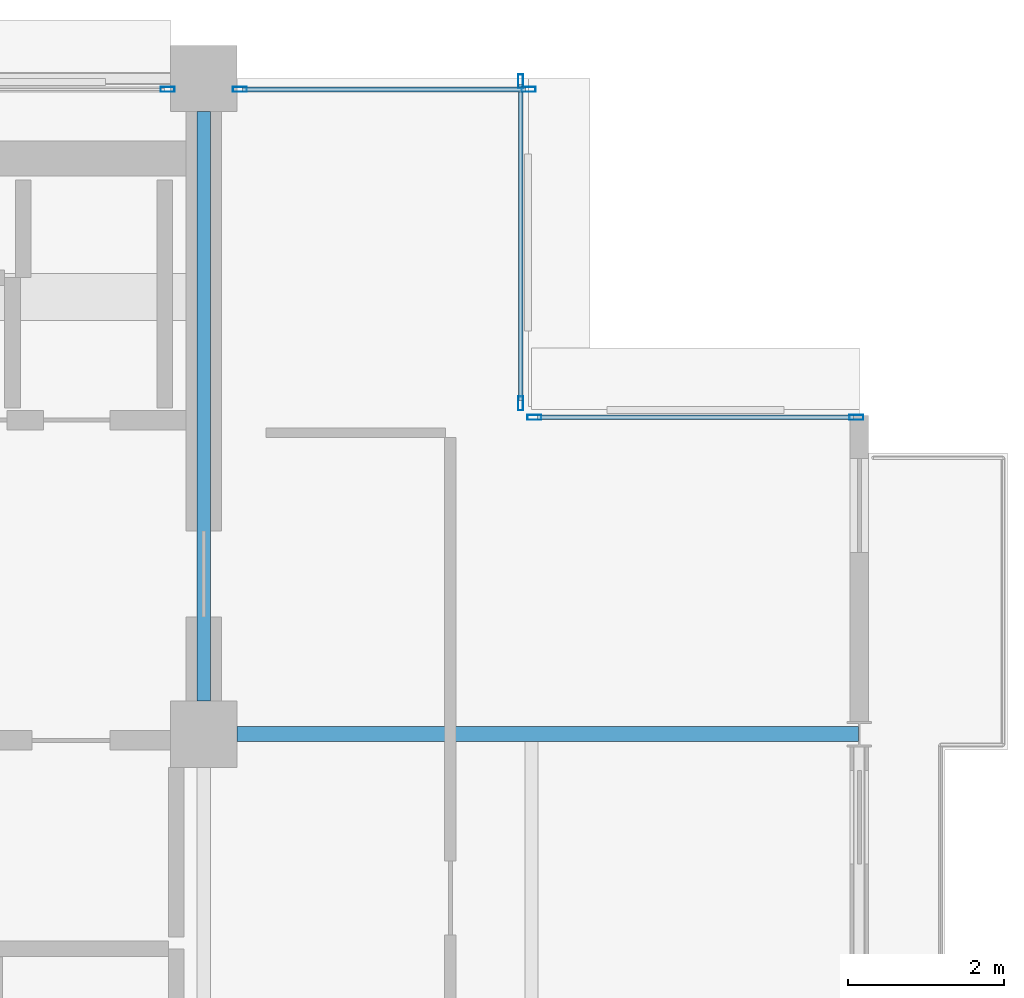
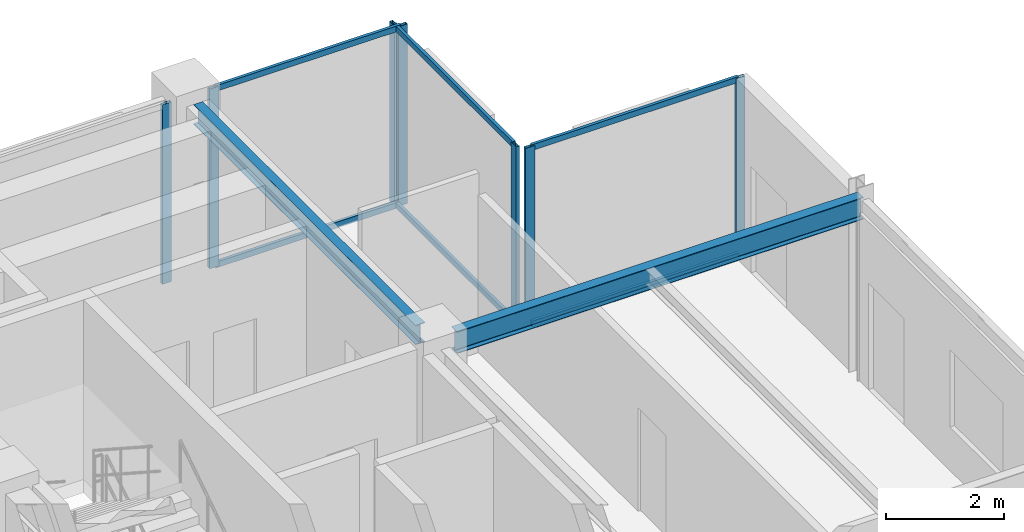
# One storey, part 19 of 27: 13 members, 2 beams, 4 elements without a shape of their own.
"""IFC4 building model written with IfcOpenShell, lengths in metres."""

import ifcopenshell
import ifcopenshell.guid

model = None  # the IFC model being written
_history = None  # IfcOwnerHistory: only IFC2X3 demands one
_inside = {}  # id of a spatial element -> (the spatial element, [elements in it])
_under = {}  # id of a project, library or spatial element -> (it, [spatial elements below it])
_declared = {}  # id of a project -> (the project, [libraries it declares])
_typed = {}  # id of a type object -> (the type object, [elements of that type])
_made_of = {}  # id of a material, layer set ... -> (it, [elements and type objects made of it])


def new_model(schema):
    """Start an empty IFC model of exactly this schema.

    Asked for "IFC4X3", IfcOpenShell would pick the latest addendum, in which some entities
    have other attributes; the version numbers below select the first issue.
    IFC2X3 requires an IfcOwnerHistory on every rooted entity: one is made here for all.
    """
    global model, _history
    if schema == "IFC4X3":
        model = ifcopenshell.file(schema_version=(4, 3, 0, 0))
    else:
        model = ifcopenshell.file(schema=schema)
    _inside.clear()
    _under.clear()
    _declared.clear()
    _typed.clear()
    _made_of.clear()
    _history = None
    if model.schema == "IFC2X3":
        org = make("IfcOrganization", Name="unknown")
        user = make(
            "IfcPersonAndOrganization",
            ThePerson=make("IfcPerson", FamilyName="unknown"),
            TheOrganization=org,
        )
        app = make(
            "IfcApplication",
            ApplicationDeveloper=org,
            Version="unknown",
            ApplicationFullName="unknown",
            ApplicationIdentifier="unknown",
        )
        _history = make(
            "IfcOwnerHistory",
            OwningUser=user,
            OwningApplication=app,
            ChangeAction="ADDED",
            CreationDate=0,
        )
    return model


def make(cls, **values):
    """One entity of the class cls with the attributes given. An attribute that is None is left unset."""
    return model.create_entity(
        cls, **{name: value for name, value in values.items() if value is not None}
    )


def rooted(cls, **values):
    """An entity with a GlobalId (a new one), such as an element, a storey or a relation."""
    return make(cls, GlobalId=ifcopenshell.guid.new(), OwnerHistory=_history, **values)


def si_unit(unit_type, name, prefix=None):
    """IfcSIUnit, for example si_unit("LENGTHUNIT", "METRE", prefix="MILLI")."""
    return make("IfcSIUnit", UnitType=unit_type, Prefix=prefix, Name=name)


def assignment(units):
    """IfcUnitAssignment: the units of a project."""
    return None if units is None else make("IfcUnitAssignment", Units=units)


def point(xyz):
    """IfcCartesianPoint."""
    return None if xyz is None else make("IfcCartesianPoint", Coordinates=xyz)


def direction(xyz):
    """IfcDirection."""
    return None if xyz is None else make("IfcDirection", DirectionRatios=xyz)


def frame(location, z_axis=None, x_axis=None):
    """IfcAxis2Placement3D, a coordinate frame: its origin and axes. An axis left out is left unset."""
    return make(
        "IfcAxis2Placement3D",
        Location=point(location),
        Axis=direction(z_axis),
        RefDirection=direction(x_axis),
    )


def frame_2d(location, x_axis=None):
    """IfcAxis2Placement2D, a coordinate frame in the plane: its origin and x axis."""
    return make(
        "IfcAxis2Placement2D", Location=point(location), RefDirection=direction(x_axis)
    )


def origin():
    """The frame at (0, 0, 0) with its axes left unset."""
    return frame((0.0, 0.0, 0.0))


def origin_2d():
    """The frame at (0, 0) in the plane with its x axis left unset."""
    return frame_2d((0.0, 0.0))


def place(relative_to, where):
    """IfcLocalPlacement: puts the frame where relative to a parent placement (None: the world)."""
    return make(
        "IfcLocalPlacement", PlacementRelTo=relative_to, RelativePlacement=where
    )


def context(
    kind, dimensions, precision=None, world=None, true_north=None, identifier=None
):
    """IfcGeometricRepresentationContext, for example the 3D "Model" context."""
    return make(
        "IfcGeometricRepresentationContext",
        ContextIdentifier=identifier,
        ContextType=kind,
        CoordinateSpaceDimension=dimensions,
        Precision=precision,
        WorldCoordinateSystem=world,
        TrueNorth=true_north,
    )


def subcontext(parent, identifier, kind, view, scale=None):
    """IfcGeometricRepresentationSubContext, for example "Body" below "Model"."""
    return make(
        "IfcGeometricRepresentationSubContext",
        ContextIdentifier=identifier,
        ContextType=kind,
        ParentContext=parent,
        TargetScale=scale,
        TargetView=view,
    )


def project(units=None, contexts=None):
    """IfcProject with its units and contexts."""
    return rooted(
        "IfcProject",
        Name="project",
        RepresentationContexts=contexts,
        UnitsInContext=assignment(units),
    )


def spatial(cls, under=None, at=None, **own):
    """A site, building, storey or space (cls), placed at a placement, below another one or the project."""
    s = rooted(cls, ObjectPlacement=at, **own)
    if under is not None:
        _under.setdefault(under.id(), (under, []))[1].append(s)
    return s


def profile(cls, at=None, kind="AREA", **sizes):
    """A parametric profile (cls). Its sizes go by their IFC names, for example OverallWidth=200.0."""
    return make(cls, ProfileType=kind, Position=at, **sizes)


def hollow_rectangle(**sizes):
    """IfcRectangleHollowProfileDef."""
    return profile("IfcRectangleHollowProfileDef", **sizes)


def i_section(**sizes):
    """IfcIShapeProfileDef."""
    return profile("IfcIShapeProfileDef", **sizes)


def extrude(swept, where, along, depth):
    """IfcExtrudedAreaSolid: the profile swept, set in the frame where, extruded along a direction by depth."""
    return make(
        "IfcExtrudedAreaSolid",
        SweptArea=swept,
        Position=where,
        ExtrudedDirection=direction(along),
        Depth=depth,
    )


def shape(context_of_items, identifier, shape_type, items):
    """IfcShapeRepresentation: the items that make up one representation, for example the "Body"."""
    return make(
        "IfcShapeRepresentation",
        ContextOfItems=context_of_items,
        RepresentationIdentifier=identifier,
        RepresentationType=shape_type,
        Items=items,
    )


def material(Name=None, Category=None):
    """IfcMaterial."""
    return make("IfcMaterial", Name=Name, Category=Category)


def layer(
    of_material, thickness, ventilated=None, Name=None, Category=None, Priority=None
):
    """IfcMaterialLayer: one layer of a wall or slab, of a material (None: an air gap)."""
    return make(
        "IfcMaterialLayer",
        Material=of_material,
        LayerThickness=thickness,
        IsVentilated=ventilated,
        Name=Name,
        Category=Category,
        Priority=Priority,
    )


def layer_set(layers, Name=None):
    """IfcMaterialLayerSet."""
    return make("IfcMaterialLayerSet", MaterialLayers=layers, LayerSetName=Name)


def material_profile(
    of_material, cross_section, Name=None, Category=None, Priority=None
):
    """IfcMaterialProfile: a cross section and its material."""
    return make(
        "IfcMaterialProfile",
        Name=Name,
        Material=of_material,
        Profile=cross_section,
        Priority=Priority,
        Category=Category,
    )


def profile_set(profiles, Name=None, composite=None):
    """IfcMaterialProfileSet."""
    return make(
        "IfcMaterialProfileSet",
        Name=Name,
        MaterialProfiles=profiles,
        CompositeProfile=composite,
    )


def made_of(thing, what):
    """Note that an element or type object is made of a material, layer set ...; save() writes the relation."""
    if what is not None:
        _made_of.setdefault(what.id(), (what, []))[1].append(thing)
    return thing


def type_object(cls, material=None, **own):
    """A type object (cls), such as IfcWallType, which elements share."""
    return made_of(rooted(cls, **own), material)


def element(
    cls,
    number,
    at=None,
    inside=None,
    cuts=None,
    type_object=None,
    material=None,
    context=None,
    identifier="Body",
    shape_type=None,
    held_by="IfcProductDefinitionShape",
    body=None,
    shapes=None,
    **own,
):
    """One element of the class cls, such as IfcWall. Its Tag is "e" and its number.

    at: its placement. inside: the storey or other place that contains it. cuts: it is an
    opening in that element (IfcRelVoidsElement). A single representation is given by context,
    identifier, shape_type and body (its items); several are given by shapes. held_by: the class
    of the entity that holds the representations. save() writes the other relations.
    """
    e = rooted(cls, Tag="e%d" % number, ObjectPlacement=at, **own)
    if body is not None:
        shapes = [shape(context, identifier, shape_type, body)]
    if shapes is not None:
        e.Representation = make(held_by, Representations=shapes)
    if inside is not None:
        _inside.setdefault(inside.id(), (inside, []))[1].append(e)
    if cuts is not None:
        rooted(
            "IfcRelVoidsElement", RelatingBuildingElement=cuts, RelatedOpeningElement=e
        )
    if type_object is not None:
        _typed.setdefault(type_object.id(), (type_object, []))[1].append(e)
    return made_of(e, material)


def aggregate(whole, parts):
    """IfcRelAggregates: a whole, such as a stair, and the parts it consists of."""
    return rooted("IfcRelAggregates", RelatingObject=whole, RelatedObjects=parts)


def save(model, path):
    """Write the relations noted so far, then the file.

    IfcRelAggregates (storeys below a building ...), IfcRelContainedInSpatialStructure (elements
    in a storey), IfcRelDefinesByType, IfcRelAssociatesMaterial and IfcRelDeclares: one each for
    every whole, place, type object, material and project.
    """
    for whole, parts in _under.values():
        aggregate(whole, parts)
    for where, things in _inside.values():
        rooted(
            "IfcRelContainedInSpatialStructure",
            RelatedElements=things,
            RelatingStructure=where,
        )
    for kind, things in _typed.values():
        rooted("IfcRelDefinesByType", RelatedObjects=things, RelatingType=kind)
    for what, things in _made_of.values():
        rooted("IfcRelAssociatesMaterial", RelatedObjects=things, RelatingMaterial=what)
    for by, libraries in _declared.values():
        rooted("IfcRelDeclares", RelatingContext=by, RelatedDefinitions=libraries)
    model.write(path)


model = new_model("IFC4")

# Units and contexts
model_context = context("Model", 3, precision=1e-05, world=origin(), true_north=direction((0.0, 1.0)))
body_context = subcontext(model_context, "Body", "Model", "MODEL_VIEW")
ifc_project = project(units=[si_unit("LENGTHUNIT", "METRE"), si_unit("AREAUNIT", "SQUARE_METRE"), si_unit("VOLUMEUNIT", "CUBIC_METRE"), si_unit("PLANEANGLEUNIT", "RADIAN"), si_unit("MASSUNIT", "GRAM", prefix="KILO")], contexts=[model_context])

# Site, building, storey
site_placement = place(None, origin())
site = spatial("IfcSite", under=ifc_project, at=site_placement, CompositionType="ELEMENT")
building_placement = place(site_placement, origin())
building = spatial("IfcBuilding", under=site, at=building_placement, Name="Nerrivon Quay Data Exchange", CompositionType="ELEMENT")
storey_placement = place(building_placement, frame((0.0, 0.0, 266.199951171875)))
storey = spatial("IfcBuildingStorey", under=building, at=storey_placement, Name="L63", CompositionType="ELEMENT", Elevation=266.199951171875)

# Beams
ifc_material_1 = material(Name="Steel Grade 350", Category="steel")
ifc_material_profile_1 = material_profile(ifc_material_1, i_section(OverallWidth=0.18994140625, OverallDepth=0.4541015625, WebThickness=0.008544921875, FlangeThickness=0.0126953125, FilletRadius=0.011474609375, at=origin_2d()), Name="460UB67.1")
ifc_profile_set_1 = profile_set([ifc_material_profile_1], Name="Steel Grade 350")
beam_type_1 = type_object("IfcBeamType", Name="BM-G6-460UB67", PredefinedType="BEAM", material=ifc_profile_set_1)
beam_1_placement = place(storey_placement, frame((17.22509765625, 33.60009765625, 3.498046875), z_axis=(1.0, 0.0, 0.0), x_axis=(0.0, 1.0, 0.0)))
element("IfcBeam", 1, at=beam_1_placement, inside=storey, type_object=beam_type_1, Name="L63 EW Girder Y=33.6 (16.8..25.2)", PredefinedType="BEAM", context=body_context, shape_type="SweptSolid", body=[
    extrude(i_section(OverallWidth=0.18994140625, OverallDepth=0.4541015625, WebThickness=0.008544921875, FlangeThickness=0.0126953125, FilletRadius=0.011474609375, at=origin_2d()), origin(), (0.0, 0.0, 1.0), 7.967041015625),
])
ifc_material_profile_2 = material_profile(ifc_material_1, i_section(OverallWidth=0.177978515625, OverallDepth=0.406005859375, WebThickness=0.0078125, FlangeThickness=0.0126953125, FilletRadius=0.011474609375, at=origin_2d()), Name="410UB59.7")
ifc_profile_set_2 = profile_set([ifc_material_profile_2], Name="Steel Grade 350")
beam_type_2 = type_object("IfcBeamType", Name="BM-J1-410UB60", PredefinedType="JOIST", material=ifc_profile_set_2)
beam_2_placement = place(storey_placement, frame((16.800048828125, 34.02490234375, 3.52197265625), z_axis=(0.0, 1.0, 0.0), x_axis=(-1.0, 0.0, 0.0)))
element("IfcBeam", 2, at=beam_2_placement, inside=storey, type_object=beam_type_2, Name="L63 NS Girder X=16.8 (33.6..42.0)", PredefinedType="JOIST", context=body_context, shape_type="SweptSolid", body=[
    extrude(i_section(OverallWidth=0.177978515625, OverallDepth=0.406005859375, WebThickness=0.0078125, FlangeThickness=0.0126953125, FilletRadius=0.011474609375, at=origin_2d()), origin(), (0.0, 0.0, 1.0), 7.550048828125),
])

# Curtain wall, member
ifc_material_2 = material(Name="Anodised aluminium 6063-T6", Category="aluminium")
ifc_layer = layer(ifc_material_2, 0.195068359375)
ifc_layer_set = layer_set([ifc_layer], Name="Anodised aluminium 6063-T6")
curtain_wall_type = type_object("IfcCurtainWallType", Name="CW-SYS-06", PredefinedType="NOTDEFINED", material=ifc_layer_set)
curtain_wall_1_placement = place(storey_placement, origin())
curtain_wall_1 = element("IfcCurtainWall", 3, at=curtain_wall_1_placement, inside=storey, type_object=curtain_wall_type, Name="L63 Unitised Curtain Wall 18", PredefinedType="NOTDEFINED")
ifc_material_profile_3 = material_profile(ifc_material_2, hollow_rectangle(XDim=0.06494140625, YDim=0.179931640625, WallThickness=0.00341796875, at=origin_2d()), Name="ALU-MULL-180x65")
ifc_profile_set_3 = profile_set([ifc_material_profile_3], Name="Anodised aluminium 6063-T6")
member_type_1 = type_object("IfcMemberType", Name="CWM-180x65", PredefinedType="MULLION", material=ifc_profile_set_3)
member_1_placement = place(storey_placement, frame((16.33740234375, 41.860107421875, 0.0), z_axis=(0.0, 0.0, 1.0), x_axis=(0.0, 1.0, 0.0)))
member_1 = element("IfcMember", 4, at=member_1_placement, type_object=member_type_1, Name="CW06 mullion 2", PredefinedType="MULLION", context=body_context, shape_type="SweptSolid", body=[
    extrude(hollow_rectangle(XDim=0.06494140625, YDim=0.179931640625, WallThickness=0.00341796875, at=origin_2d()), origin(), (0.0, 0.0, 1.0), 3.72509765625),
])
aggregate(curtain_wall_1, [member_1])

# Curtain wall, members
curtain_wall_2_placement = place(storey_placement, origin())
curtain_wall_2 = element("IfcCurtainWall", 5, at=curtain_wall_2_placement, inside=storey, type_object=curtain_wall_type, Name="L63 Unitised Curtain Wall 19", PredefinedType="NOTDEFINED")
member_2_placement = place(storey_placement, frame((17.262451171875, 41.860107421875, 0.0), z_axis=(0.0, 0.0, 1.0), x_axis=(0.0, 1.0, 0.0)))
member_2 = element("IfcMember", 6, at=member_2_placement, type_object=member_type_1, Name="CW06 mullion 1", PredefinedType="MULLION", context=body_context, shape_type="SweptSolid", body=[
    extrude(hollow_rectangle(XDim=0.06494140625, YDim=0.179931640625, WallThickness=0.00341796875, at=origin_2d()), origin(), (0.0, 0.0, 1.0), 3.72509765625),
])
member_3_placement = place(storey_placement, frame((20.96240234375, 41.860107421875, 0.0), z_axis=(0.0, 0.0, 1.0), x_axis=(0.0, 1.0, 0.0)))
member_3 = element("IfcMember", 7, at=member_3_placement, type_object=member_type_1, Name="CW06 mullion 2", PredefinedType="MULLION", context=body_context, shape_type="SweptSolid", body=[
    extrude(hollow_rectangle(XDim=0.06494140625, YDim=0.179931640625, WallThickness=0.00341796875, at=origin_2d()), origin(), (0.0, 0.0, 1.0), 3.72509765625),
])

curtain_wall_3_placement = place(storey_placement, origin())
curtain_wall_3 = element("IfcCurtainWall", 8, at=curtain_wall_3_placement, inside=storey, type_object=curtain_wall_type, Name="L63 Unitised Curtain Wall 20", PredefinedType="NOTDEFINED")
member_4_placement = place(storey_placement, frame((20.860107421875, 41.96240234375, 0.0), z_axis=(0.0, 0.0, 1.0), x_axis=(1.0, 0.0, 0.0)))
member_4 = element("IfcMember", 9, at=member_4_placement, type_object=member_type_1, Name="CW06 mullion 1", PredefinedType="MULLION", context=body_context, shape_type="SweptSolid", body=[
    extrude(hollow_rectangle(XDim=0.06494140625, YDim=0.179931640625, WallThickness=0.00341796875, at=origin_2d()), origin(), (0.0, 0.0, 1.0), 3.72509765625),
])
member_5_placement = place(storey_placement, frame((20.860107421875, 37.83740234375, 0.0), z_axis=(0.0, 0.0, 1.0), x_axis=(1.0, 0.0, 0.0)))
member_5 = element("IfcMember", 10, at=member_5_placement, type_object=member_type_1, Name="CW06 mullion 2", PredefinedType="MULLION", context=body_context, shape_type="SweptSolid", body=[
    extrude(hollow_rectangle(XDim=0.06494140625, YDim=0.179931640625, WallThickness=0.00341796875, at=origin_2d()), origin(), (0.0, 0.0, 1.0), 3.72509765625),
])

curtain_wall_4_placement = place(storey_placement, origin())
curtain_wall_4 = element("IfcCurtainWall", 11, at=curtain_wall_4_placement, inside=storey, type_object=curtain_wall_type, Name="L63 Unitised Curtain Wall 21", PredefinedType="NOTDEFINED")
member_6_placement = place(storey_placement, frame((21.03759765625, 37.659912109375, 0.0), z_axis=(0.0, 0.0, 1.0), x_axis=(0.0, 1.0, 0.0)))
member_6 = element("IfcMember", 12, at=member_6_placement, type_object=member_type_1, Name="CW06 mullion 1", PredefinedType="MULLION", context=body_context, shape_type="SweptSolid", body=[
    extrude(hollow_rectangle(XDim=0.06494140625, YDim=0.179931640625, WallThickness=0.00341796875, at=origin_2d()), origin(), (0.0, 0.0, 1.0), 3.72509765625),
])
member_7_placement = place(storey_placement, frame((25.16259765625, 37.659912109375, 0.0), z_axis=(0.0, 0.0, 1.0), x_axis=(0.0, 1.0, 0.0)))
member_7 = element("IfcMember", 13, at=member_7_placement, type_object=member_type_1, Name="CW06 mullion 2", PredefinedType="MULLION", context=body_context, shape_type="SweptSolid", body=[
    extrude(hollow_rectangle(XDim=0.06494140625, YDim=0.179931640625, WallThickness=0.00341796875, at=origin_2d()), origin(), (0.0, 0.0, 1.0), 3.72509765625),
])

# Member
ifc_material_profile_4 = material_profile(ifc_material_2, hollow_rectangle(XDim=0.06005859375, YDim=0.1201171875, WallThickness=0.003173828125, at=origin_2d()), Name="ALU-TRAN-120x60")
ifc_profile_set_4 = profile_set([ifc_material_profile_4], Name="Anodised aluminium 6063-T6")
member_type_2 = type_object("IfcMemberType", Name="CWT-120x60", PredefinedType="USERDEFINED", material=ifc_profile_set_4)
member_8_placement = place(storey_placement, frame((17.300048828125, 41.860107421875, 0.032470703125), z_axis=(1.0, 0.0, 0.0), x_axis=(0.0, 1.0, 0.0)))
member_8 = element("IfcMember", 14, at=member_8_placement, type_object=member_type_2, Name="CW06 transom 1.1", ObjectType="TRANSOM", PredefinedType="USERDEFINED", context=body_context, shape_type="SweptSolid", body=[
    extrude(hollow_rectangle(XDim=0.06005859375, YDim=0.1201171875, WallThickness=0.003173828125, at=origin_2d()), origin(), (0.0, 0.0, 1.0), 3.625),
])

member_9_placement = place(storey_placement, frame((17.300048828125, 41.860107421875, 3.692626953125), z_axis=(1.0, 0.0, 0.0), x_axis=(0.0, 1.0, 0.0)))
member_9 = element("IfcMember", 15, at=member_9_placement, type_object=member_type_2, Name="CW06 transom 1.2", ObjectType="TRANSOM", PredefinedType="USERDEFINED", context=body_context, shape_type="SweptSolid", body=[
    extrude(hollow_rectangle(XDim=0.06005859375, YDim=0.1201171875, WallThickness=0.003173828125, at=origin_2d()), origin(), (0.0, 0.0, 1.0), 3.625),
])

aggregate(curtain_wall_2, [member_2, member_3, member_8, member_9])

member_10_placement = place(storey_placement, frame((20.860107421875, 41.925048828125, 0.032470703125), z_axis=(0.0, -1.0, 0.0), x_axis=(1.0, 0.0, 0.0)))
member_10 = element("IfcMember", 16, at=member_10_placement, type_object=member_type_2, Name="CW06 transom 1.1", ObjectType="TRANSOM", PredefinedType="USERDEFINED", context=body_context, shape_type="SweptSolid", body=[
    extrude(hollow_rectangle(XDim=0.06005859375, YDim=0.1201171875, WallThickness=0.003173828125, at=origin_2d()), origin(), (0.0, 0.0, 1.0), 4.050048828125),
])

member_11_placement = place(storey_placement, frame((20.860107421875, 41.925048828125, 3.692626953125), z_axis=(0.0, -1.0, 0.0), x_axis=(1.0, 0.0, 0.0)))
member_11 = element("IfcMember", 17, at=member_11_placement, type_object=member_type_2, Name="CW06 transom 1.2", ObjectType="TRANSOM", PredefinedType="USERDEFINED", context=body_context, shape_type="SweptSolid", body=[
    extrude(hollow_rectangle(XDim=0.06005859375, YDim=0.1201171875, WallThickness=0.003173828125, at=origin_2d()), origin(), (0.0, 0.0, 1.0), 4.050048828125),
])

aggregate(curtain_wall_3, [member_4, member_5, member_10, member_11])

member_12_placement = place(storey_placement, frame((21.074951171875, 37.659912109375, 0.032470703125), z_axis=(1.0, 0.0, 0.0), x_axis=(0.0, 1.0, 0.0)))
member_12 = element("IfcMember", 18, at=member_12_placement, type_object=member_type_2, Name="CW06 transom 1.1", ObjectType="TRANSOM", PredefinedType="USERDEFINED", context=body_context, shape_type="SweptSolid", body=[
    extrude(hollow_rectangle(XDim=0.06005859375, YDim=0.1201171875, WallThickness=0.003173828125, at=origin_2d()), origin(), (0.0, 0.0, 1.0), 4.050048828125),
])

member_13_placement = place(storey_placement, frame((21.074951171875, 37.659912109375, 3.692626953125), z_axis=(1.0, 0.0, 0.0), x_axis=(0.0, 1.0, 0.0)))
member_13 = element("IfcMember", 19, at=member_13_placement, type_object=member_type_2, Name="CW06 transom 1.2", ObjectType="TRANSOM", PredefinedType="USERDEFINED", context=body_context, shape_type="SweptSolid", body=[
    extrude(hollow_rectangle(XDim=0.06005859375, YDim=0.1201171875, WallThickness=0.003173828125, at=origin_2d()), origin(), (0.0, 0.0, 1.0), 4.050048828125),
])

aggregate(curtain_wall_4, [member_6, member_7, member_12, member_13])

save(model, "model.ifc")
